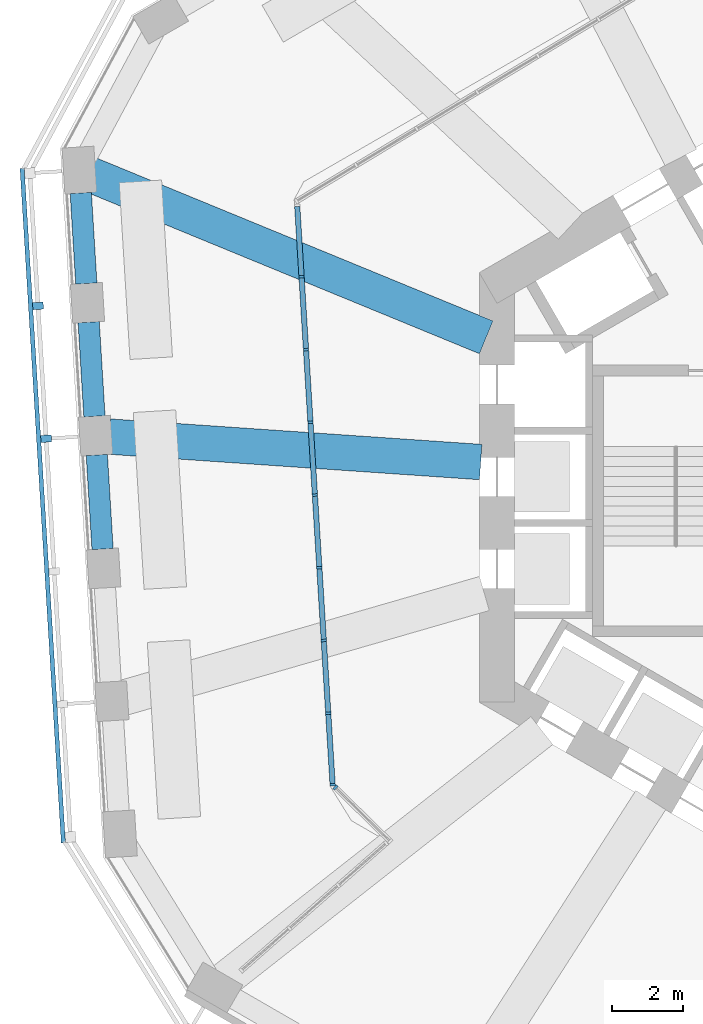
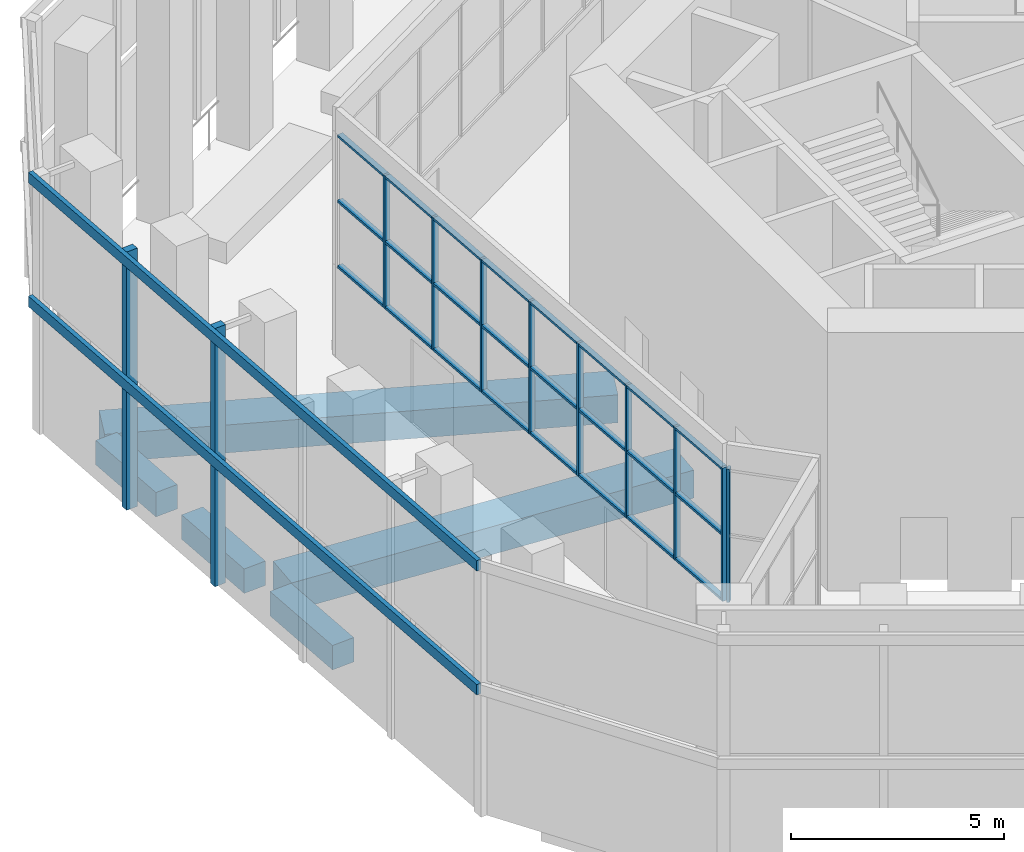
# One storey, part 4 of 19: 37 members, 5 beams, 3 elements without a shape of their own.
"""IFC4 building model written with IfcOpenShell, lengths in metres."""

from ifc_helpers import new_model, si_unit, direction, frame, origin, origin_2d, place, context, subcontext, project, spatial, rectangle, extrude, material, material_profile, profile_set, type_object, element, aggregate, save


model = new_model("IFC4")

# Units and contexts
model_context = context("Model", 3, precision=1e-05, world=origin(), true_north=direction((0.0, 1.0)))
body_context = subcontext(model_context, "Body", "Model", "MODEL_VIEW")
ifc_project = project(units=[si_unit("LENGTHUNIT", "METRE"), si_unit("AREAUNIT", "SQUARE_METRE"), si_unit("VOLUMEUNIT", "CUBIC_METRE"), si_unit("PLANEANGLEUNIT", "RADIAN"), si_unit("MASSUNIT", "GRAM", prefix="KILO")], contexts=[model_context])

# Site, building, storey
site_placement = place(None, origin())
site = spatial("IfcSite", under=ifc_project, at=site_placement, CompositionType="ELEMENT")
building_placement = place(site_placement, origin())
building = spatial("IfcBuilding", under=site, at=building_placement, Name="Vanh Sen Convention Tower", CompositionType="ELEMENT")
storey_placement = place(building_placement, frame((0.0, 0.0, 139.199951171875)))
storey = spatial("IfcBuildingStorey", under=building, at=storey_placement, Name="L34", CompositionType="ELEMENT", Elevation=139.199951171875)

# Curtain wall, member
ifc_material_1 = material(Name="Aluminium structural glazing system", Category="aluminium")
curtain_wall_type_1 = type_object("IfcCurtainWallType", Name="Sky garden structural glazing", PredefinedType="NOTDEFINED", material=ifc_material_1)
curtain_wall_1_placement = place(storey_placement, origin())
curtain_wall_1 = element("IfcCurtainWall", 1, at=curtain_wall_1_placement, inside=storey, type_object=curtain_wall_type_1, Name="Winter garden glazing 2 L34", PredefinedType="NOTDEFINED")
ifc_material_2 = material(Name="Aluminium mullion", Category="aluminium")
ifc_material_profile_1 = material_profile(ifc_material_2, rectangle(XDim=0.14990234375, YDim=0.070068359375, at=origin_2d()), Name="Garden glazing mullion 70 x 150")
ifc_profile_set_1 = profile_set([ifc_material_profile_1], Name="Aluminium mullion")
member_type_1 = type_object("IfcMemberType", Name="Garden glazing mullion 70 x 150", PredefinedType="MULLION", material=ifc_profile_set_1)
member_1_placement = place(storey_placement, frame((-14.56396484375, -8.469970703125, 2.60009765625), z_axis=(0.0, 0.0, 1.0), x_axis=(-0.699666175989, -0.714469902919, 0.0)))
member_1 = element("IfcMember", 2, at=member_1_placement, type_object=member_type_1, Name="CW5 mullion 2", PredefinedType="MULLION", context=body_context, shape_type="SweptSolid", body=[
    extrude(rectangle(XDim=0.14990234375, YDim=0.070068359375, at=origin_2d()), origin(), (0.0, 0.0, 1.0), 3.820068359375),
])
aggregate(curtain_wall_1, [member_1])

# Curtain wall, members
curtain_wall_2_placement = place(storey_placement, origin())
curtain_wall_2 = element("IfcCurtainWall", 3, at=curtain_wall_2_placement, inside=storey, type_object=curtain_wall_type_1, Name="Winter garden glazing 3 L34", PredefinedType="NOTDEFINED")
member_2_placement = place(storey_placement, frame((-14.64013671875, -8.3896484375, 2.60009765625), z_axis=(0.0, 0.0, 1.0), x_axis=(-0.998134898132, -0.061046909267, 0.0)))
member_2 = element("IfcMember", 4, at=member_2_placement, type_object=member_type_1, Name="CW5 mullion 1", PredefinedType="MULLION", context=body_context, shape_type="SweptSolid", body=[
    extrude(rectangle(XDim=0.14990234375, YDim=0.070068359375, at=origin_2d()), origin(), (0.0, 0.0, 1.0), 3.820068359375),
])
member_3_placement = place(storey_placement, frame((-14.763427734375, -6.3720703125, 2.60009765625), z_axis=(0.0, 0.0, 1.0), x_axis=(-0.998134898132, -0.061046909267, 0.0)))
member_3 = element("IfcMember", 5, at=member_3_placement, type_object=member_type_1, Name="CW5 mullion 2", PredefinedType="MULLION", context=body_context, shape_type="SweptSolid", body=[
    extrude(rectangle(XDim=0.14990234375, YDim=0.070068359375, at=origin_2d()), origin(), (0.0, 0.0, 1.0), 3.820068359375),
])
member_4_placement = place(storey_placement, frame((-14.88916015625, -4.3193359375, 2.60009765625), z_axis=(0.0, 0.0, 1.0), x_axis=(-0.998134898132, -0.061046909267, 0.0)))
member_4 = element("IfcMember", 6, at=member_4_placement, type_object=member_type_1, Name="CW5 mullion 3", PredefinedType="MULLION", context=body_context, shape_type="SweptSolid", body=[
    extrude(rectangle(XDim=0.14990234375, YDim=0.070068359375, at=origin_2d()), origin(), (0.0, 0.0, 1.0), 3.820068359375),
])
member_5_placement = place(storey_placement, frame((-15.0146484375, -2.266845703125, 2.60009765625), z_axis=(0.0, 0.0, 1.0), x_axis=(-0.998134898132, -0.061046909267, 0.0)))
member_5 = element("IfcMember", 7, at=member_5_placement, type_object=member_type_1, Name="CW5 mullion 4", PredefinedType="MULLION", context=body_context, shape_type="SweptSolid", body=[
    extrude(rectangle(XDim=0.14990234375, YDim=0.070068359375, at=origin_2d()), origin(), (0.0, 0.0, 1.0), 3.820068359375),
])
member_6_placement = place(storey_placement, frame((-15.14013671875, -0.21435546875, 2.60009765625), z_axis=(0.0, 0.0, 1.0), x_axis=(-0.998134898132, -0.061046909267, 0.0)))
member_6 = element("IfcMember", 8, at=member_6_placement, type_object=member_type_1, Name="CW5 mullion 5", PredefinedType="MULLION", context=body_context, shape_type="SweptSolid", body=[
    extrude(rectangle(XDim=0.14990234375, YDim=0.070068359375, at=origin_2d()), origin(), (0.0, 0.0, 1.0), 3.820068359375),
])
member_7_placement = place(storey_placement, frame((-15.265625, 1.83837890625, 2.60009765625), z_axis=(0.0, 0.0, 1.0), x_axis=(-0.998134898132, -0.061046909267, 0.0)))
member_7 = element("IfcMember", 9, at=member_7_placement, type_object=member_type_1, Name="CW5 mullion 6", PredefinedType="MULLION", context=body_context, shape_type="SweptSolid", body=[
    extrude(rectangle(XDim=0.14990234375, YDim=0.070068359375, at=origin_2d()), origin(), (0.0, 0.0, 1.0), 3.820068359375),
])
member_8_placement = place(storey_placement, frame((-15.39111328125, 3.890869140625, 2.60009765625), z_axis=(0.0, 0.0, 1.0), x_axis=(-0.998134898132, -0.061046909267, 0.0)))
member_8 = element("IfcMember", 10, at=member_8_placement, type_object=member_type_1, Name="CW5 mullion 7", PredefinedType="MULLION", context=body_context, shape_type="SweptSolid", body=[
    extrude(rectangle(XDim=0.14990234375, YDim=0.070068359375, at=origin_2d()), origin(), (0.0, 0.0, 1.0), 3.820068359375),
])
member_9_placement = place(storey_placement, frame((-15.516845703125, 5.943359375, 2.60009765625), z_axis=(0.0, 0.0, 1.0), x_axis=(-0.998134898132, -0.061046909267, 0.0)))
member_9 = element("IfcMember", 11, at=member_9_placement, type_object=member_type_1, Name="CW5 mullion 8", PredefinedType="MULLION", context=body_context, shape_type="SweptSolid", body=[
    extrude(rectangle(XDim=0.14990234375, YDim=0.070068359375, at=origin_2d()), origin(), (0.0, 0.0, 1.0), 3.820068359375),
])
ifc_material_3 = material(Name="Aluminium transom", Category="aluminium")
ifc_material_profile_2 = material_profile(ifc_material_3, rectangle(XDim=0.14990234375, YDim=0.070068359375, at=origin_2d()), Name="Garden glazing transom 150 x 70")
ifc_profile_set_2 = profile_set([ifc_material_profile_2], Name="Aluminium transom")
member_type_2 = type_object("IfcMemberType", Name="Garden glazing transom 150 x 70", PredefinedType="USERDEFINED", material=ifc_profile_set_2)
member_10_placement = place(storey_placement, frame((-14.642333984375, -8.354736328125, 2.635009765625), z_axis=(-0.061054100731, 0.998134458269, 0.0), x_axis=(-0.998134458269, -0.061054100731, 0.0)))
member_10 = element("IfcMember", 12, at=member_10_placement, type_object=member_type_2, Name="CW5 transom 1.1", ObjectType="TRANSOM", PredefinedType="USERDEFINED", context=body_context, shape_type="SweptSolid", body=[
    extrude(rectangle(XDim=0.14990234375, YDim=0.070068359375, at=origin_2d()), origin(), (0.0, 0.0, 1.0), 1.951416015625),
])
member_11_placement = place(storey_placement, frame((-14.642333984375, -8.354736328125, 4.510009765625), z_axis=(-0.061054100731, 0.998134458269, 0.0), x_axis=(-0.998134458269, -0.061054100731, 0.0)))
member_11 = element("IfcMember", 13, at=member_11_placement, type_object=member_type_2, Name="CW5 transom 1.2", ObjectType="TRANSOM", PredefinedType="USERDEFINED", context=body_context, shape_type="SweptSolid", body=[
    extrude(rectangle(XDim=0.14990234375, YDim=0.070068359375, at=origin_2d()), origin(), (0.0, 0.0, 1.0), 1.951416015625),
])
member_12_placement = place(storey_placement, frame((-14.642333984375, -8.354736328125, 6.385009765625), z_axis=(-0.061054100731, 0.998134458269, 0.0), x_axis=(-0.998134458269, -0.061054100731, 0.0)))
member_12 = element("IfcMember", 14, at=member_12_placement, type_object=member_type_2, Name="CW5 transom 1.3", ObjectType="TRANSOM", PredefinedType="USERDEFINED", context=body_context, shape_type="SweptSolid", body=[
    extrude(rectangle(XDim=0.14990234375, YDim=0.070068359375, at=origin_2d()), origin(), (0.0, 0.0, 1.0), 1.951416015625),
])
member_13_placement = place(storey_placement, frame((-14.765625, -6.337158203125, 2.635009765625), z_axis=(-0.06108507375, 0.998132563222, 0.0), x_axis=(-0.998132563222, -0.06108507375, 0.0)))
member_13 = element("IfcMember", 15, at=member_13_placement, type_object=member_type_2, Name="CW5 transom 2.1", ObjectType="TRANSOM", PredefinedType="USERDEFINED", context=body_context, shape_type="SweptSolid", body=[
    extrude(rectangle(XDim=0.14990234375, YDim=0.070068359375, at=origin_2d()), origin(), (0.0, 0.0, 1.0), 1.986328125),
])
member_14_placement = place(storey_placement, frame((-14.765625, -6.337158203125, 4.510009765625), z_axis=(-0.06108507375, 0.998132563222, 0.0), x_axis=(-0.998132563222, -0.06108507375, 0.0)))
member_14 = element("IfcMember", 16, at=member_14_placement, type_object=member_type_2, Name="CW5 transom 2.2", ObjectType="TRANSOM", PredefinedType="USERDEFINED", context=body_context, shape_type="SweptSolid", body=[
    extrude(rectangle(XDim=0.14990234375, YDim=0.070068359375, at=origin_2d()), origin(), (0.0, 0.0, 1.0), 1.986328125),
])
member_15_placement = place(storey_placement, frame((-14.765625, -6.337158203125, 6.385009765625), z_axis=(-0.06108507375, 0.998132563222, 0.0), x_axis=(-0.998132563222, -0.06108507375, 0.0)))
member_15 = element("IfcMember", 17, at=member_15_placement, type_object=member_type_2, Name="CW5 transom 2.3", ObjectType="TRANSOM", PredefinedType="USERDEFINED", context=body_context, shape_type="SweptSolid", body=[
    extrude(rectangle(XDim=0.14990234375, YDim=0.070068359375, at=origin_2d()), origin(), (0.0, 0.0, 1.0), 1.986328125),
])
member_16_placement = place(storey_placement, frame((-14.89111328125, -4.284423828125, 2.635009765625), z_axis=(-0.06108507375, 0.998132563222, 0.0), x_axis=(-0.998132563222, -0.06108507375, 0.0)))
member_16 = element("IfcMember", 18, at=member_16_placement, type_object=member_type_2, Name="CW5 transom 3.1", ObjectType="TRANSOM", PredefinedType="USERDEFINED", context=body_context, shape_type="SweptSolid", body=[
    extrude(rectangle(XDim=0.14990234375, YDim=0.070068359375, at=origin_2d()), origin(), (0.0, 0.0, 1.0), 1.986328125),
])
member_17_placement = place(storey_placement, frame((-14.89111328125, -4.284423828125, 4.510009765625), z_axis=(-0.06108507375, 0.998132563222, 0.0), x_axis=(-0.998132563222, -0.06108507375, 0.0)))
member_17 = element("IfcMember", 19, at=member_17_placement, type_object=member_type_2, Name="CW5 transom 3.2", ObjectType="TRANSOM", PredefinedType="USERDEFINED", context=body_context, shape_type="SweptSolid", body=[
    extrude(rectangle(XDim=0.14990234375, YDim=0.070068359375, at=origin_2d()), origin(), (0.0, 0.0, 1.0), 1.986328125),
])
member_18_placement = place(storey_placement, frame((-14.89111328125, -4.284423828125, 6.385009765625), z_axis=(-0.06108507375, 0.998132563222, 0.0), x_axis=(-0.998132563222, -0.06108507375, 0.0)))
member_18 = element("IfcMember", 20, at=member_18_placement, type_object=member_type_2, Name="CW5 transom 3.3", ObjectType="TRANSOM", PredefinedType="USERDEFINED", context=body_context, shape_type="SweptSolid", body=[
    extrude(rectangle(XDim=0.14990234375, YDim=0.070068359375, at=origin_2d()), origin(), (0.0, 0.0, 1.0), 1.986328125),
])
member_19_placement = place(storey_placement, frame((-15.016845703125, -2.23193359375, 2.635009765625), z_axis=(-0.060962623394, 0.998140049567, 0.0), x_axis=(-0.998140049567, -0.060962623394, 0.0)))
member_19 = element("IfcMember", 21, at=member_19_placement, type_object=member_type_2, Name="CW5 transom 4.1", ObjectType="TRANSOM", PredefinedType="USERDEFINED", context=body_context, shape_type="SweptSolid", body=[
    extrude(rectangle(XDim=0.14990234375, YDim=0.070068359375, at=origin_2d()), origin(), (0.0, 0.0, 1.0), 1.986328125),
])
member_20_placement = place(storey_placement, frame((-15.016845703125, -2.23193359375, 4.510009765625), z_axis=(-0.060962623394, 0.998140049567, 0.0), x_axis=(-0.998140049567, -0.060962623394, 0.0)))
member_20 = element("IfcMember", 22, at=member_20_placement, type_object=member_type_2, Name="CW5 transom 4.2", ObjectType="TRANSOM", PredefinedType="USERDEFINED", context=body_context, shape_type="SweptSolid", body=[
    extrude(rectangle(XDim=0.14990234375, YDim=0.070068359375, at=origin_2d()), origin(), (0.0, 0.0, 1.0), 1.986328125),
])
member_21_placement = place(storey_placement, frame((-15.016845703125, -2.23193359375, 6.385009765625), z_axis=(-0.060962623394, 0.998140049567, 0.0), x_axis=(-0.998140049567, -0.060962623394, 0.0)))
member_21 = element("IfcMember", 23, at=member_21_placement, type_object=member_type_2, Name="CW5 transom 4.3", ObjectType="TRANSOM", PredefinedType="USERDEFINED", context=body_context, shape_type="SweptSolid", body=[
    extrude(rectangle(XDim=0.14990234375, YDim=0.070068359375, at=origin_2d()), origin(), (0.0, 0.0, 1.0), 1.986328125),
])
member_22_placement = place(storey_placement, frame((-15.142333984375, -0.179443359375, 2.635009765625), z_axis=(-0.06108507375, 0.998132563222, 0.0), x_axis=(-0.998132563222, -0.06108507375, 0.0)))
member_22 = element("IfcMember", 24, at=member_22_placement, type_object=member_type_2, Name="CW5 transom 5.1", ObjectType="TRANSOM", PredefinedType="USERDEFINED", context=body_context, shape_type="SweptSolid", body=[
    extrude(rectangle(XDim=0.14990234375, YDim=0.070068359375, at=origin_2d()), origin(), (0.0, 0.0, 1.0), 1.986328125),
])
member_23_placement = place(storey_placement, frame((-15.142333984375, -0.179443359375, 4.510009765625), z_axis=(-0.06108507375, 0.998132563222, 0.0), x_axis=(-0.998132563222, -0.06108507375, 0.0)))
member_23 = element("IfcMember", 25, at=member_23_placement, type_object=member_type_2, Name="CW5 transom 5.2", ObjectType="TRANSOM", PredefinedType="USERDEFINED", context=body_context, shape_type="SweptSolid", body=[
    extrude(rectangle(XDim=0.14990234375, YDim=0.070068359375, at=origin_2d()), origin(), (0.0, 0.0, 1.0), 1.986328125),
])
member_24_placement = place(storey_placement, frame((-15.142333984375, -0.179443359375, 6.385009765625), z_axis=(-0.06108507375, 0.998132563222, 0.0), x_axis=(-0.998132563222, -0.06108507375, 0.0)))
member_24 = element("IfcMember", 26, at=member_24_placement, type_object=member_type_2, Name="CW5 transom 5.3", ObjectType="TRANSOM", PredefinedType="USERDEFINED", context=body_context, shape_type="SweptSolid", body=[
    extrude(rectangle(XDim=0.14990234375, YDim=0.070068359375, at=origin_2d()), origin(), (0.0, 0.0, 1.0), 1.986328125),
])
member_25_placement = place(storey_placement, frame((-15.267822265625, 1.873291015625, 2.635009765625), z_axis=(-0.06108507375, 0.998132563222, 0.0), x_axis=(-0.998132563222, -0.06108507375, 0.0)))
member_25 = element("IfcMember", 27, at=member_25_placement, type_object=member_type_2, Name="CW5 transom 6.1", ObjectType="TRANSOM", PredefinedType="USERDEFINED", context=body_context, shape_type="SweptSolid", body=[
    extrude(rectangle(XDim=0.14990234375, YDim=0.070068359375, at=origin_2d()), origin(), (0.0, 0.0, 1.0), 1.986328125),
])
member_26_placement = place(storey_placement, frame((-15.267822265625, 1.873291015625, 4.510009765625), z_axis=(-0.06108507375, 0.998132563222, 0.0), x_axis=(-0.998132563222, -0.06108507375, 0.0)))
member_26 = element("IfcMember", 28, at=member_26_placement, type_object=member_type_2, Name="CW5 transom 6.2", ObjectType="TRANSOM", PredefinedType="USERDEFINED", context=body_context, shape_type="SweptSolid", body=[
    extrude(rectangle(XDim=0.14990234375, YDim=0.070068359375, at=origin_2d()), origin(), (0.0, 0.0, 1.0), 1.986328125),
])
member_27_placement = place(storey_placement, frame((-15.267822265625, 1.873291015625, 6.385009765625), z_axis=(-0.06108507375, 0.998132563222, 0.0), x_axis=(-0.998132563222, -0.06108507375, 0.0)))
member_27 = element("IfcMember", 29, at=member_27_placement, type_object=member_type_2, Name="CW5 transom 6.3", ObjectType="TRANSOM", PredefinedType="USERDEFINED", context=body_context, shape_type="SweptSolid", body=[
    extrude(rectangle(XDim=0.14990234375, YDim=0.070068359375, at=origin_2d()), origin(), (0.0, 0.0, 1.0), 1.986328125),
])
member_28_placement = place(storey_placement, frame((-15.393310546875, 3.92578125, 2.635009765625), z_axis=(-0.06108507375, 0.998132563222, 0.0), x_axis=(-0.998132563222, -0.06108507375, 0.0)))
member_28 = element("IfcMember", 30, at=member_28_placement, type_object=member_type_2, Name="CW5 transom 7.1", ObjectType="TRANSOM", PredefinedType="USERDEFINED", context=body_context, shape_type="SweptSolid", body=[
    extrude(rectangle(XDim=0.14990234375, YDim=0.070068359375, at=origin_2d()), origin(), (0.0, 0.0, 1.0), 1.986328125),
])
member_29_placement = place(storey_placement, frame((-15.393310546875, 3.92578125, 4.510009765625), z_axis=(-0.06108507375, 0.998132563222, 0.0), x_axis=(-0.998132563222, -0.06108507375, 0.0)))
member_29 = element("IfcMember", 31, at=member_29_placement, type_object=member_type_2, Name="CW5 transom 7.2", ObjectType="TRANSOM", PredefinedType="USERDEFINED", context=body_context, shape_type="SweptSolid", body=[
    extrude(rectangle(XDim=0.14990234375, YDim=0.070068359375, at=origin_2d()), origin(), (0.0, 0.0, 1.0), 1.986328125),
])
member_30_placement = place(storey_placement, frame((-15.393310546875, 3.92578125, 6.385009765625), z_axis=(-0.06108507375, 0.998132563222, 0.0), x_axis=(-0.998132563222, -0.06108507375, 0.0)))
member_30 = element("IfcMember", 32, at=member_30_placement, type_object=member_type_2, Name="CW5 transom 7.3", ObjectType="TRANSOM", PredefinedType="USERDEFINED", context=body_context, shape_type="SweptSolid", body=[
    extrude(rectangle(XDim=0.14990234375, YDim=0.070068359375, at=origin_2d()), origin(), (0.0, 0.0, 1.0), 1.986328125),
])
member_31_placement = place(storey_placement, frame((-15.518798828125, 5.978271484375, 2.635009765625), z_axis=(-0.061054100731, 0.998134458269, 0.0), x_axis=(-0.998134458269, -0.061054100731, 0.0)))
member_31 = element("IfcMember", 33, at=member_31_placement, type_object=member_type_2, Name="CW5 transom 8.1", ObjectType="TRANSOM", PredefinedType="USERDEFINED", context=body_context, shape_type="SweptSolid", body=[
    extrude(rectangle(XDim=0.14990234375, YDim=0.070068359375, at=origin_2d()), origin(), (0.0, 0.0, 1.0), 1.951416015625),
])
member_32_placement = place(storey_placement, frame((-15.518798828125, 5.978271484375, 4.510009765625), z_axis=(-0.061054100731, 0.998134458269, 0.0), x_axis=(-0.998134458269, -0.061054100731, 0.0)))
member_32 = element("IfcMember", 34, at=member_32_placement, type_object=member_type_2, Name="CW5 transom 8.2", ObjectType="TRANSOM", PredefinedType="USERDEFINED", context=body_context, shape_type="SweptSolid", body=[
    extrude(rectangle(XDim=0.14990234375, YDim=0.070068359375, at=origin_2d()), origin(), (0.0, 0.0, 1.0), 1.951416015625),
])
member_33_placement = place(storey_placement, frame((-15.518798828125, 5.978271484375, 6.385009765625), z_axis=(-0.061054100731, 0.998134458269, 0.0), x_axis=(-0.998134458269, -0.061054100731, 0.0)))
member_33 = element("IfcMember", 35, at=member_33_placement, type_object=member_type_2, Name="CW5 transom 8.3", ObjectType="TRANSOM", PredefinedType="USERDEFINED", context=body_context, shape_type="SweptSolid", body=[
    extrude(rectangle(XDim=0.14990234375, YDim=0.070068359375, at=origin_2d()), origin(), (0.0, 0.0, 1.0), 1.951416015625),
])
aggregate(curtain_wall_2, [member_2, member_3, member_4, member_5, member_6, member_7, member_8, member_9, member_10, member_11, member_12, member_13, member_14, member_15, member_16, member_17, member_18, member_19, member_20, member_21, member_22, member_23, member_24, member_25, member_26, member_27, member_28, member_29, member_30, member_31, member_32, member_33])

ifc_material_4 = material(Name="Concrete C50/60", Category="concrete")
curtain_wall_type_2 = type_object("IfcCurtainWallType", Name="Outer skin office zone", PredefinedType="NOTDEFINED", material=ifc_material_4)
curtain_wall_3_placement = place(storey_placement, origin())
curtain_wall_3 = element("IfcCurtainWall", 36, at=curtain_wall_3_placement, inside=storey, type_object=curtain_wall_type_2, Name="OUTER SKIN W L34", PredefinedType="NOTDEFINED")
ifc_material_profile_3 = material_profile(ifc_material_4, rectangle(XDim=0.199951171875, YDim=0.300048828125, at=origin_2d()), Name="Outer skin precast fin 200 x 300")
ifc_profile_set_3 = profile_set([ifc_material_profile_3], Name="Concrete C50/60")
member_type_3 = type_object("IfcMemberType", Name="Outer skin precast fin 200 x 300", PredefinedType="MULLION", material=ifc_profile_set_3)
member_34_placement = place(storey_placement, frame((-22.95556640625, 5.12353515625, 0.0), z_axis=(0.0, 0.0, 1.0), x_axis=(0.061048539535, -0.998134798422, 0.0)))
member_34 = element("IfcMember", 37, at=member_34_placement, type_object=member_type_3, Name="OUTER SKIN fin 2 W L34", PredefinedType="MULLION", context=body_context, shape_type="SweptSolid", body=[
    extrude(rectangle(XDim=0.199951171875, YDim=0.300048828125, at=origin_2d()), origin(), (0.0, 0.0, 1.0), 7.400146484375),
])
member_35_placement = place(storey_placement, frame((-22.726318359375, 1.37646484375, 0.0), z_axis=(0.0, 0.0, 1.0), x_axis=(0.061048539535, -0.998134798422, 0.0)))
member_35 = element("IfcMember", 38, at=member_35_placement, type_object=member_type_3, Name="OUTER SKIN fin 3 W L34", PredefinedType="MULLION", context=body_context, shape_type="SweptSolid", body=[
    extrude(rectangle(XDim=0.199951171875, YDim=0.300048828125, at=origin_2d()), origin(), (0.0, 0.0, 1.0), 7.400146484375),
])
ifc_material_profile_4 = material_profile(ifc_material_4, rectangle(XDim=0.1201171875, YDim=0.300048828125, at=origin_2d()), Name="Outer skin precast spandrel band 300 x 120")
ifc_profile_set_4 = profile_set([ifc_material_profile_4], Name="Concrete C50/60")
member_type_4 = type_object("IfcMemberType", Name="Outer skin precast spandrel band 300 x 120", PredefinedType="USERDEFINED", material=ifc_profile_set_4)
member_36_placement = place(storey_placement, frame((-23.403564453125, 9.007568359375, 7.25), z_axis=(0.061052799403, -0.998134537868, 0.0), x_axis=(0.998134537868, 0.061052799403, 0.0)))
member_36 = element("IfcMember", 39, at=member_36_placement, type_object=member_type_4, Name="OUTER SKIN spandrel band W L34", ObjectType="TRANSOM", PredefinedType="USERDEFINED", context=body_context, shape_type="SweptSolid", body=[
    extrude(rectangle(XDim=0.1201171875, YDim=0.300048828125, at=origin_2d()), origin(), (0.0, 0.0, 1.0), 19.070556640625),
])
member_37_placement = place(storey_placement, frame((-23.403564453125, 9.007568359375, 3.699951171875), z_axis=(0.061052799403, -0.998134537868, 0.0), x_axis=(0.998134537868, 0.061052799403, 0.0)))
member_37 = element("IfcMember", 40, at=member_37_placement, type_object=member_type_4, Name="OUTER SKIN spandrel band W L34 mid", ObjectType="TRANSOM", PredefinedType="USERDEFINED", context=body_context, shape_type="SweptSolid", body=[
    extrude(rectangle(XDim=0.1201171875, YDim=0.300048828125, at=origin_2d()), origin(), (0.0, 0.0, 1.0), 19.070556640625),
])
aggregate(curtain_wall_3, [member_34, member_35, member_36, member_37])

# Beams
ifc_material_5 = material(Name="Concrete C50/60", Category="concrete")
ifc_material_profile_5 = material_profile(ifc_material_5, rectangle(XDim=1.0, YDim=0.800048828125, at=origin_2d()), Name="RC 1000X800")
ifc_profile_set_5 = profile_set([ifc_material_profile_5], Name="Concrete C50/60")
beam_type_1 = type_object("IfcBeamType", Name="Radial floor beam 1000 x 800", PredefinedType="BEAM", material=ifc_profile_set_5)
beam_1_placement = place(storey_placement, frame((-21.5537109375, 8.860107421875, -0.75), z_axis=(0.924898704651, -0.380213605932, 0.0), x_axis=(0.380213605932, 0.924898704651, 0.0)))
element("IfcBeam", 41, at=beam_1_placement, inside=storey, type_object=beam_type_1, Name="Radial beam 10 L34", PredefinedType="BEAM", context=body_context, shape_type="SweptSolid", body=[
    extrude(rectangle(XDim=1.0, YDim=0.800048828125, at=origin_2d()), origin(), (0.0, 0.0, 1.0), 12.16162109375),
])
beam_2_placement = place(storey_placement, frame((-20.9462890625, 1.435791015625, -0.75), z_axis=(0.997658941032, -0.068385944315, 0.0), x_axis=(0.068385944315, 0.997658941032, 0.0)))
element("IfcBeam", 42, at=beam_2_placement, inside=storey, type_object=beam_type_1, Name="Radial beam 11 L34", PredefinedType="BEAM", context=body_context, shape_type="SweptSolid", body=[
    extrude(rectangle(XDim=1.0, YDim=0.800048828125, at=origin_2d()), origin(), (0.0, 0.0, 1.0), 10.51025390625),
])
ifc_material_profile_6 = material_profile(ifc_material_5, rectangle(XDim=0.60009765625, YDim=0.699951171875, at=origin_2d()), Name="RC 600X700")
ifc_profile_set_6 = profile_set([ifc_material_profile_6], Name="Concrete C50/60")
beam_type_2 = type_object("IfcBeamType", Name="Spandrel beam 600 x 700", PredefinedType="SPANDREL", material=ifc_profile_set_6)
beam_3_placement = place(storey_placement, frame((-21.748046875, 8.3125, -0.699951171875), z_axis=(0.061026827248, -0.998136126165, 0.0), x_axis=(0.998136126165, 0.061026827248, 0.0)))
element("IfcBeam", 43, at=beam_3_placement, inside=storey, type_object=beam_type_2, Name="Spandrel beam 19 L34", PredefinedType="SPANDREL", context=body_context, shape_type="SweptSolid", body=[
    extrude(rectangle(XDim=0.60009765625, YDim=0.699951171875, at=origin_2d()), origin(), (0.0, 0.0, 1.0), 2.564453125),
])
beam_4_placement = place(storey_placement, frame((-21.52490234375, 4.665283203125, -0.699951171875), z_axis=(0.061026226429, -0.9981361629, 0.0), x_axis=(0.9981361629, 0.061026226429, 0.0)))
element("IfcBeam", 44, at=beam_4_placement, inside=storey, type_object=beam_type_2, Name="Spandrel beam 20 L34", PredefinedType="SPANDREL", context=body_context, shape_type="SweptSolid", body=[
    extrude(rectangle(XDim=0.60009765625, YDim=0.699951171875, at=origin_2d()), origin(), (0.0, 0.0, 1.0), 2.664306640625),
])
beam_5_placement = place(storey_placement, frame((-21.295654296875, 0.91796875, -0.699951171875), z_axis=(0.061031808409, -0.998135821601, 0.0), x_axis=(0.998135821601, 0.061031808409, 0.0)))
element("IfcBeam", 45, at=beam_5_placement, inside=storey, type_object=beam_type_2, Name="Spandrel beam 21 L34", PredefinedType="SPANDREL", context=body_context, shape_type="SweptSolid", body=[
    extrude(rectangle(XDim=0.60009765625, YDim=0.699951171875, at=origin_2d()), origin(), (0.0, 0.0, 1.0), 2.6640625),
])

save(model, "model.ifc")
